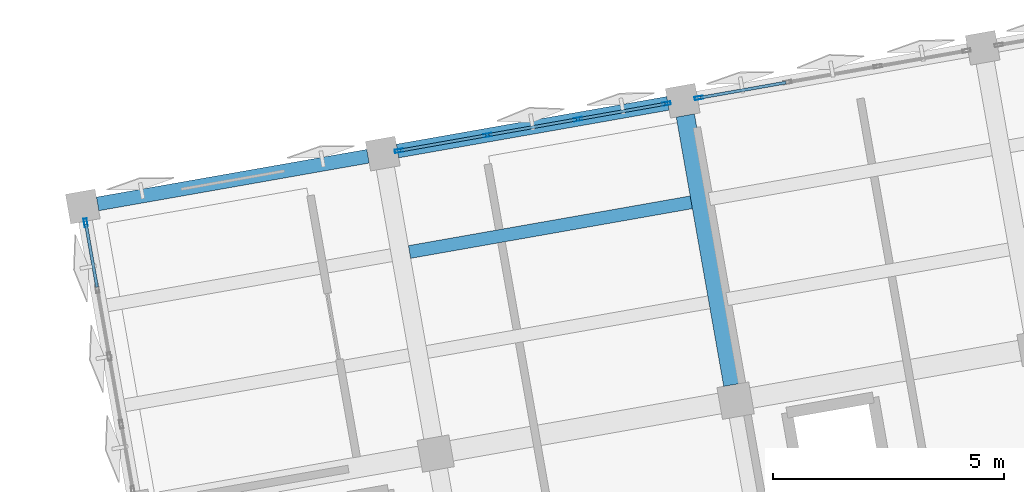
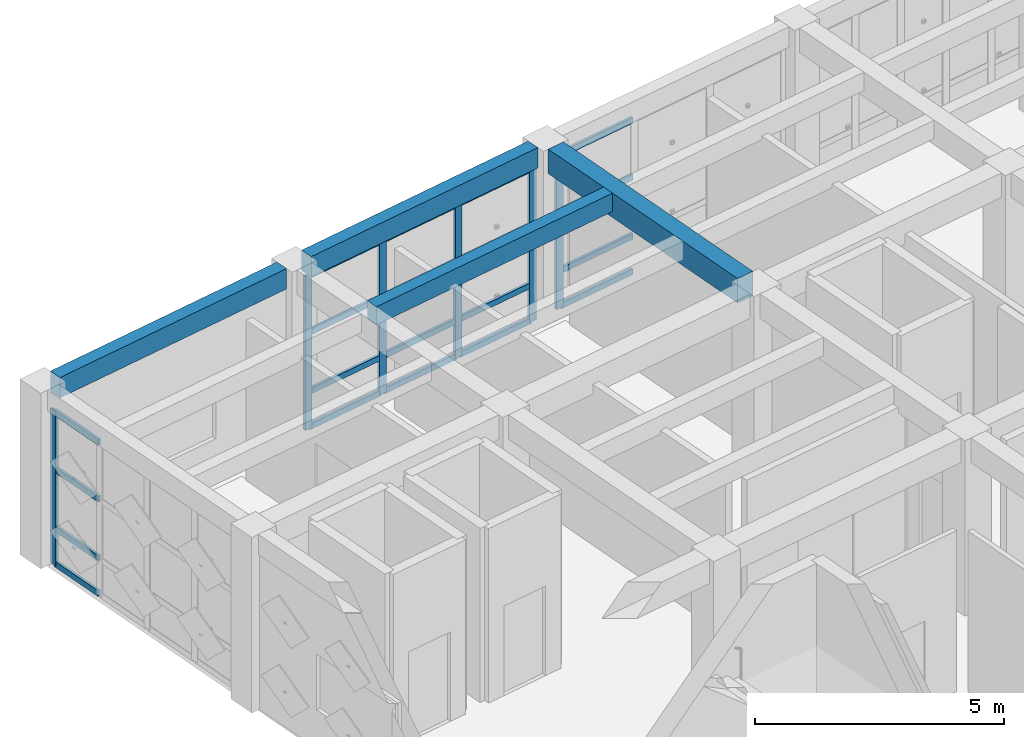
# One storey, part 6 of 39: 26 members, 4 beams, 3 elements without a shape of their own.
"""IFC4 building model written with IfcOpenShell, lengths in metres."""

from ifc_helpers import new_model, si_unit, direction, frame, origin, origin_2d, place, context, subcontext, project, spatial, rectangle, hollow_rectangle, extrude, material, layer, layer_set, material_profile, profile_set, type_object, element, aggregate, save


model = new_model("IFC4")

# Units and contexts
model_context = context("Model", 3, precision=1e-05, world=origin(), true_north=direction((0.0, 1.0)))
body_context = subcontext(model_context, "Body", "Model", "MODEL_VIEW")
ifc_project = project(units=[si_unit("LENGTHUNIT", "METRE"), si_unit("AREAUNIT", "SQUARE_METRE"), si_unit("VOLUMEUNIT", "CUBIC_METRE"), si_unit("PLANEANGLEUNIT", "RADIAN"), si_unit("MASSUNIT", "GRAM", prefix="KILO")], contexts=[model_context])

# Site, building, storey
site_placement = place(None, origin())
site = spatial("IfcSite", under=ifc_project, at=site_placement, CompositionType="ELEMENT")
building_placement = place(site_placement, origin())
building = spatial("IfcBuilding", under=site, at=building_placement, Name="Kharisveld Research Institute", CompositionType="ELEMENT")
storey_placement = place(building_placement, frame((0.0, 0.0, 23.10009765625)))
storey = spatial("IfcBuildingStorey", under=building, at=storey_placement, Name="L05", CompositionType="ELEMENT", Elevation=23.10009765625)

# Beam
ifc_material_1 = material(Name="Concrete C40/50", Category="concrete")
ifc_material_profile_1 = material_profile(ifc_material_1, rectangle(XDim=0.39990234375, YDim=0.60009765625, at=origin_2d()))
ifc_profile_set_1 = profile_set([ifc_material_profile_1], Name="Concrete C40/50")
beam_type_1 = type_object("IfcBeamType", Name="BM_RC_400x600", PredefinedType="BEAM", material=ifc_profile_set_1)
beam_1_placement = place(storey_placement, frame((15.846435546875, 50.646240234375, 4.010009765625), z_axis=(-0.173639592071, 0.984809266846, 0.0), x_axis=(-0.984809266846, -0.173639592071, 0.0)))
element("IfcBeam", 1, at=beam_1_placement, inside=storey, type_object=beam_type_1, Name="BM:V1:L05:V2_2", PredefinedType="BEAM", context=body_context, shape_type="SweptSolid", body=[
    extrude(rectangle(XDim=0.39990234375, YDim=0.60009765625, at=origin_2d()), origin(), (0.0, 0.0, 1.0), 5.925048828125),
])

# Curtain wall, member
ifc_material_2 = material(Name="Thermally Broken Aluminium Curtain Wall", Category="aluminium")
ifc_layer_1 = layer(ifc_material_2, 0.159912109375)
ifc_layer_set_1 = layer_set([ifc_layer_1], Name="CW_SYS_04")
curtain_wall_type_1 = type_object("IfcCurtainWallType", Name="CW_SYS_04", PredefinedType="NOTDEFINED", material=ifc_layer_set_1)
curtain_wall_1_placement = place(storey_placement, origin())
curtain_wall_1 = element("IfcCurtainWall", 2, at=curtain_wall_1_placement, inside=storey, type_object=curtain_wall_type_1, Name="CW:V1:L05:W2", PredefinedType="NOTDEFINED")
ifc_material_3 = material(Name="Anodised Aluminium AW-6063-T6", Category="aluminium")
ifc_material_profile_2 = material_profile(ifc_material_3, hollow_rectangle(XDim=0.070068359375, YDim=0.179931640625, WallThickness=0.00439453125, at=origin_2d()))
ifc_profile_set_2 = profile_set([ifc_material_profile_2], Name="Anodised Aluminium AW-6063-T6")
member_type_1 = type_object("IfcMemberType", Name="CW_MUL_180", PredefinedType="MULLION", material=ifc_profile_set_2)
member_1_placement = place(storey_placement, frame((1.823486328125, 54.15966796875, 0.0), z_axis=(0.0, 0.0, 1.0), x_axis=(-0.984807737371, -0.173648266375, 0.0)))
member_1 = element("IfcMember", 3, at=member_1_placement, type_object=member_type_1, Name="CW-04 mullion 5", PredefinedType="MULLION", context=body_context, shape_type="SweptSolid", body=[
    extrude(hollow_rectangle(XDim=0.070068359375, YDim=0.179931640625, WallThickness=0.00439453125, at=origin_2d()), origin(), (0.0, 0.0, 1.0), 3.77978515625),
])

# Curtain wall, members
ifc_material_4 = material(Name="Thermally Broken Aluminium Curtain Wall", Category="aluminium")
ifc_layer_2 = layer(ifc_material_4, 0.159912109375)
ifc_layer_set_2 = layer_set([ifc_layer_2], Name="CW_SYS_05")
curtain_wall_type_2 = type_object("IfcCurtainWallType", Name="CW_SYS_05", PredefinedType="NOTDEFINED", material=ifc_layer_set_2)
curtain_wall_2_placement = place(storey_placement, origin())
curtain_wall_2 = element("IfcCurtainWall", 4, at=curtain_wall_2_placement, inside=storey, type_object=curtain_wall_type_2, Name="CW:V1:L05:N1", PredefinedType="NOTDEFINED")
member_2_placement = place(storey_placement, frame((8.611083984375, 55.716796875, 0.0), z_axis=(0.0, 0.0, 1.0), x_axis=(-0.173648295062, 0.984807732312, 0.0)))
member_2 = element("IfcMember", 5, at=member_2_placement, type_object=member_type_1, Name="CW-05 mullion 1", PredefinedType="MULLION", context=body_context, shape_type="SweptSolid", body=[
    extrude(hollow_rectangle(XDim=0.070068359375, YDim=0.179931640625, WallThickness=0.00439453125, at=origin_2d()), origin(), (0.0, 0.0, 1.0), 3.77978515625),
])
member_3_placement = place(storey_placement, frame((10.533203125, 56.055908203125, 0.0), z_axis=(0.0, 0.0, 1.0), x_axis=(-0.173648295062, 0.984807732312, 0.0)))
member_3 = element("IfcMember", 6, at=member_3_placement, type_object=member_type_1, Name="CW-05 mullion 2", PredefinedType="MULLION", context=body_context, shape_type="SweptSolid", body=[
    extrude(hollow_rectangle(XDim=0.070068359375, YDim=0.179931640625, WallThickness=0.00439453125, at=origin_2d()), origin(), (0.0, 0.0, 1.0), 3.77978515625),
])
member_4_placement = place(storey_placement, frame((12.489501953125, 56.40087890625, 0.0), z_axis=(0.0, 0.0, 1.0), x_axis=(-0.173648295062, 0.984807732312, 0.0)))
member_4 = element("IfcMember", 7, at=member_4_placement, type_object=member_type_1, Name="CW-05 mullion 3", PredefinedType="MULLION", context=body_context, shape_type="SweptSolid", body=[
    extrude(hollow_rectangle(XDim=0.070068359375, YDim=0.179931640625, WallThickness=0.00439453125, at=origin_2d()), origin(), (0.0, 0.0, 1.0), 3.77978515625),
])
member_5_placement = place(storey_placement, frame((14.41162109375, 56.73974609375, 0.0), z_axis=(0.0, 0.0, 1.0), x_axis=(-0.173648295062, 0.984807732312, 0.0)))
member_5 = element("IfcMember", 8, at=member_5_placement, type_object=member_type_1, Name="CW-05 mullion 4", PredefinedType="MULLION", context=body_context, shape_type="SweptSolid", body=[
    extrude(hollow_rectangle(XDim=0.070068359375, YDim=0.179931640625, WallThickness=0.00439453125, at=origin_2d()), origin(), (0.0, 0.0, 1.0), 3.77978515625),
])

# Curtain wall, member
ifc_material_5 = material(Name="Thermally Broken Aluminium Curtain Wall", Category="aluminium")
ifc_layer_3 = layer(ifc_material_5, 0.159912109375)
ifc_layer_set_3 = layer_set([ifc_layer_3], Name="CW_SYS_06")
curtain_wall_type_3 = type_object("IfcCurtainWallType", Name="CW_SYS_06", PredefinedType="NOTDEFINED", material=ifc_layer_set_3)
curtain_wall_3_placement = place(storey_placement, origin())
curtain_wall_3 = element("IfcCurtainWall", 9, at=curtain_wall_3_placement, inside=storey, type_object=curtain_wall_type_3, Name="CW:V1:L05:N2", PredefinedType="NOTDEFINED")
member_6_placement = place(storey_placement, frame((15.11083984375, 56.863037109375, 0.0), z_axis=(0.0, 0.0, 1.0), x_axis=(-0.173648266375, 0.984807737371, 0.0)))
member_6 = element("IfcMember", 10, at=member_6_placement, type_object=member_type_1, Name="CW-06 mullion 1", PredefinedType="MULLION", context=body_context, shape_type="SweptSolid", body=[
    extrude(hollow_rectangle(XDim=0.070068359375, YDim=0.179931640625, WallThickness=0.00439453125, at=origin_2d()), origin(), (0.0, 0.0, 1.0), 3.77978515625),
])

# Member
ifc_material_6 = material(Name="Anodised Aluminium AW-6063-T6", Category="aluminium")
ifc_material_profile_3 = material_profile(ifc_material_6, hollow_rectangle(XDim=0.06494140625, YDim=0.139892578125, WallThickness=0.00390625, at=origin_2d()))
ifc_profile_set_3 = profile_set([ifc_material_profile_3], Name="Anodised Aluminium AW-6063-T6")
member_type_2 = type_object("IfcMemberType", Name="CW_TRN_140", PredefinedType="USERDEFINED", material=ifc_profile_set_3)
member_7_placement = place(storey_placement, frame((2.070068359375, 52.76123046875, 0.032470703125), z_axis=(-0.173654587092, 0.984806622836, 0.0), x_axis=(-0.984806622836, -0.173654587092, 0.0)))
member_7 = element("IfcMember", 11, at=member_7_placement, type_object=member_type_2, Name="CW-04 transom 4.1", ObjectType="TRANSOM", PredefinedType="USERDEFINED", context=body_context, shape_type="SweptSolid", body=[
    extrude(hollow_rectangle(XDim=0.06494140625, YDim=0.139892578125, WallThickness=0.00390625, at=origin_2d()), origin(), (0.0, 0.0, 1.0), 1.384765625),
])

member_8_placement = place(storey_placement, frame((2.070068359375, 52.76123046875, 0.89990234375), z_axis=(-0.173654587092, 0.984806622836, 0.0), x_axis=(-0.984806622836, -0.173654587092, 0.0)))
member_8 = element("IfcMember", 12, at=member_8_placement, type_object=member_type_2, Name="CW-04 transom 4.2", ObjectType="TRANSOM", PredefinedType="USERDEFINED", context=body_context, shape_type="SweptSolid", body=[
    extrude(hollow_rectangle(XDim=0.06494140625, YDim=0.139892578125, WallThickness=0.00390625, at=origin_2d()), origin(), (0.0, 0.0, 1.0), 1.384765625),
])

member_9_placement = place(storey_placement, frame((2.070068359375, 52.76123046875, 2.349853515625), z_axis=(-0.173654587092, 0.984806622836, 0.0), x_axis=(-0.984806622836, -0.173654587092, 0.0)))
member_9 = element("IfcMember", 13, at=member_9_placement, type_object=member_type_2, Name="CW-04 transom 4.3", ObjectType="TRANSOM", PredefinedType="USERDEFINED", context=body_context, shape_type="SweptSolid", body=[
    extrude(hollow_rectangle(XDim=0.06494140625, YDim=0.139892578125, WallThickness=0.00390625, at=origin_2d()), origin(), (0.0, 0.0, 1.0), 1.384765625),
])

member_10_placement = place(storey_placement, frame((2.070068359375, 52.76123046875, 3.747314453125), z_axis=(-0.173654587092, 0.984806622836, 0.0), x_axis=(-0.984806622836, -0.173654587092, 0.0)))
member_10 = element("IfcMember", 14, at=member_10_placement, type_object=member_type_2, Name="CW-04 transom 4.4", ObjectType="TRANSOM", PredefinedType="USERDEFINED", context=body_context, shape_type="SweptSolid", body=[
    extrude(hollow_rectangle(XDim=0.06494140625, YDim=0.139892578125, WallThickness=0.00390625, at=origin_2d()), origin(), (0.0, 0.0, 1.0), 1.384765625),
])

aggregate(curtain_wall_1, [member_1, member_7, member_8, member_9, member_10])

member_11_placement = place(storey_placement, frame((8.6455078125, 55.722900390625, 0.032470703125), z_axis=(0.98479270082, 0.173733521265, 0.0), x_axis=(-0.173733521265, 0.98479270082, 0.0)))
member_11 = element("IfcMember", 15, at=member_11_placement, type_object=member_type_2, Name="CW-05 transom 1.1", ObjectType="TRANSOM", PredefinedType="USERDEFINED", context=body_context, shape_type="SweptSolid", body=[
    extrude(hollow_rectangle(XDim=0.06494140625, YDim=0.139892578125, WallThickness=0.00390625, at=origin_2d()), origin(), (0.0, 0.0, 1.0), 1.881591796875),
])

member_12_placement = place(storey_placement, frame((8.6455078125, 55.722900390625, 0.89990234375), z_axis=(0.98479270082, 0.173733521265, 0.0), x_axis=(-0.173733521265, 0.98479270082, 0.0)))
member_12 = element("IfcMember", 16, at=member_12_placement, type_object=member_type_2, Name="CW-05 transom 1.2", ObjectType="TRANSOM", PredefinedType="USERDEFINED", context=body_context, shape_type="SweptSolid", body=[
    extrude(hollow_rectangle(XDim=0.06494140625, YDim=0.139892578125, WallThickness=0.00390625, at=origin_2d()), origin(), (0.0, 0.0, 1.0), 1.881591796875),
])

member_13_placement = place(storey_placement, frame((8.6455078125, 55.722900390625, 2.349853515625), z_axis=(0.98479270082, 0.173733521265, 0.0), x_axis=(-0.173733521265, 0.98479270082, 0.0)))
member_13 = element("IfcMember", 17, at=member_13_placement, type_object=member_type_2, Name="CW-05 transom 1.3", ObjectType="TRANSOM", PredefinedType="USERDEFINED", context=body_context, shape_type="SweptSolid", body=[
    extrude(hollow_rectangle(XDim=0.06494140625, YDim=0.139892578125, WallThickness=0.00390625, at=origin_2d()), origin(), (0.0, 0.0, 1.0), 1.881591796875),
])

member_14_placement = place(storey_placement, frame((8.6455078125, 55.722900390625, 3.747314453125), z_axis=(0.98479270082, 0.173733521265, 0.0), x_axis=(-0.173733521265, 0.98479270082, 0.0)))
member_14 = element("IfcMember", 18, at=member_14_placement, type_object=member_type_2, Name="CW-05 transom 1.4", ObjectType="TRANSOM", PredefinedType="USERDEFINED", context=body_context, shape_type="SweptSolid", body=[
    extrude(hollow_rectangle(XDim=0.06494140625, YDim=0.139892578125, WallThickness=0.00390625, at=origin_2d()), origin(), (0.0, 0.0, 1.0), 1.881591796875),
])

member_15_placement = place(storey_placement, frame((10.567626953125, 56.06201171875, 0.032470703125), z_axis=(0.984811758578, 0.173625459441, 0.0), x_axis=(-0.173625459441, 0.984811758578, 0.0)))
member_15 = element("IfcMember", 19, at=member_15_placement, type_object=member_type_2, Name="CW-05 transom 2.1", ObjectType="TRANSOM", PredefinedType="USERDEFINED", context=body_context, shape_type="SweptSolid", body=[
    extrude(hollow_rectangle(XDim=0.06494140625, YDim=0.139892578125, WallThickness=0.00390625, at=origin_2d()), origin(), (0.0, 0.0, 1.0), 1.91650390625),
])

member_16_placement = place(storey_placement, frame((10.567626953125, 56.06201171875, 0.89990234375), z_axis=(0.984811758578, 0.173625459441, 0.0), x_axis=(-0.173625459441, 0.984811758578, 0.0)))
member_16 = element("IfcMember", 20, at=member_16_placement, type_object=member_type_2, Name="CW-05 transom 2.2", ObjectType="TRANSOM", PredefinedType="USERDEFINED", context=body_context, shape_type="SweptSolid", body=[
    extrude(hollow_rectangle(XDim=0.06494140625, YDim=0.139892578125, WallThickness=0.00390625, at=origin_2d()), origin(), (0.0, 0.0, 1.0), 1.91650390625),
])

member_17_placement = place(storey_placement, frame((10.567626953125, 56.06201171875, 2.349853515625), z_axis=(0.984811758578, 0.173625459441, 0.0), x_axis=(-0.173625459441, 0.984811758578, 0.0)))
member_17 = element("IfcMember", 21, at=member_17_placement, type_object=member_type_2, Name="CW-05 transom 2.3", ObjectType="TRANSOM", PredefinedType="USERDEFINED", context=body_context, shape_type="SweptSolid", body=[
    extrude(hollow_rectangle(XDim=0.06494140625, YDim=0.139892578125, WallThickness=0.00390625, at=origin_2d()), origin(), (0.0, 0.0, 1.0), 1.91650390625),
])

member_18_placement = place(storey_placement, frame((10.567626953125, 56.06201171875, 3.747314453125), z_axis=(0.984811758578, 0.173625459441, 0.0), x_axis=(-0.173625459441, 0.984811758578, 0.0)))
member_18 = element("IfcMember", 22, at=member_18_placement, type_object=member_type_2, Name="CW-05 transom 2.4", ObjectType="TRANSOM", PredefinedType="USERDEFINED", context=body_context, shape_type="SweptSolid", body=[
    extrude(hollow_rectangle(XDim=0.06494140625, YDim=0.139892578125, WallThickness=0.00390625, at=origin_2d()), origin(), (0.0, 0.0, 1.0), 1.91650390625),
])

member_19_placement = place(storey_placement, frame((12.524169921875, 56.406982421875, 0.032470703125), z_axis=(0.984814892183, 0.173607684551, 0.0), x_axis=(-0.173607684551, 0.984814892183, 0.0)))
member_19 = element("IfcMember", 23, at=member_19_placement, type_object=member_type_2, Name="CW-05 transom 3.1", ObjectType="TRANSOM", PredefinedType="USERDEFINED", context=body_context, shape_type="SweptSolid", body=[
    extrude(hollow_rectangle(XDim=0.06494140625, YDim=0.139892578125, WallThickness=0.00390625, at=origin_2d()), origin(), (0.0, 0.0, 1.0), 1.881591796875),
])

member_20_placement = place(storey_placement, frame((12.524169921875, 56.406982421875, 0.89990234375), z_axis=(0.984814892183, 0.173607684551, 0.0), x_axis=(-0.173607684551, 0.984814892183, 0.0)))
member_20 = element("IfcMember", 24, at=member_20_placement, type_object=member_type_2, Name="CW-05 transom 3.2", ObjectType="TRANSOM", PredefinedType="USERDEFINED", context=body_context, shape_type="SweptSolid", body=[
    extrude(hollow_rectangle(XDim=0.06494140625, YDim=0.139892578125, WallThickness=0.00390625, at=origin_2d()), origin(), (0.0, 0.0, 1.0), 1.881591796875),
])

member_21_placement = place(storey_placement, frame((12.524169921875, 56.406982421875, 2.349853515625), z_axis=(0.984814892183, 0.173607684551, 0.0), x_axis=(-0.173607684551, 0.984814892183, 0.0)))
member_21 = element("IfcMember", 25, at=member_21_placement, type_object=member_type_2, Name="CW-05 transom 3.3", ObjectType="TRANSOM", PredefinedType="USERDEFINED", context=body_context, shape_type="SweptSolid", body=[
    extrude(hollow_rectangle(XDim=0.06494140625, YDim=0.139892578125, WallThickness=0.00390625, at=origin_2d()), origin(), (0.0, 0.0, 1.0), 1.881591796875),
])

member_22_placement = place(storey_placement, frame((12.524169921875, 56.406982421875, 3.747314453125), z_axis=(0.984814892183, 0.173607684551, 0.0), x_axis=(-0.173607684551, 0.984814892183, 0.0)))
member_22 = element("IfcMember", 26, at=member_22_placement, type_object=member_type_2, Name="CW-05 transom 3.4", ObjectType="TRANSOM", PredefinedType="USERDEFINED", context=body_context, shape_type="SweptSolid", body=[
    extrude(hollow_rectangle(XDim=0.06494140625, YDim=0.139892578125, WallThickness=0.00390625, at=origin_2d()), origin(), (0.0, 0.0, 1.0), 1.881591796875),
])

aggregate(curtain_wall_2, [member_2, member_3, member_4, member_5, member_11, member_12, member_13, member_14, member_15, member_16, member_17, member_18, member_19, member_20, member_21, member_22])

member_23_placement = place(storey_placement, frame((15.145263671875, 56.869140625, 0.032470703125), z_axis=(0.984814892183, 0.173607684551, 0.0), x_axis=(-0.173607684551, 0.984814892183, 0.0)))
member_23 = element("IfcMember", 27, at=member_23_placement, type_object=member_type_2, Name="CW-06 transom 1.1", ObjectType="TRANSOM", PredefinedType="USERDEFINED", context=body_context, shape_type="SweptSolid", body=[
    extrude(hollow_rectangle(XDim=0.06494140625, YDim=0.139892578125, WallThickness=0.00390625, at=origin_2d()), origin(), (0.0, 0.0, 1.0), 1.881591796875),
])

member_24_placement = place(storey_placement, frame((15.145263671875, 56.869140625, 0.89990234375), z_axis=(0.984814892183, 0.173607684551, 0.0), x_axis=(-0.173607684551, 0.984814892183, 0.0)))
member_24 = element("IfcMember", 28, at=member_24_placement, type_object=member_type_2, Name="CW-06 transom 1.2", ObjectType="TRANSOM", PredefinedType="USERDEFINED", context=body_context, shape_type="SweptSolid", body=[
    extrude(hollow_rectangle(XDim=0.06494140625, YDim=0.139892578125, WallThickness=0.00390625, at=origin_2d()), origin(), (0.0, 0.0, 1.0), 1.881591796875),
])

member_25_placement = place(storey_placement, frame((15.145263671875, 56.869140625, 2.349853515625), z_axis=(0.984814892183, 0.173607684551, 0.0), x_axis=(-0.173607684551, 0.984814892183, 0.0)))
member_25 = element("IfcMember", 29, at=member_25_placement, type_object=member_type_2, Name="CW-06 transom 1.3", ObjectType="TRANSOM", PredefinedType="USERDEFINED", context=body_context, shape_type="SweptSolid", body=[
    extrude(hollow_rectangle(XDim=0.06494140625, YDim=0.139892578125, WallThickness=0.00390625, at=origin_2d()), origin(), (0.0, 0.0, 1.0), 1.881591796875),
])

member_26_placement = place(storey_placement, frame((15.145263671875, 56.869140625, 3.747314453125), z_axis=(0.984814892183, 0.173607684551, 0.0), x_axis=(-0.173607684551, 0.984814892183, 0.0)))
member_26 = element("IfcMember", 30, at=member_26_placement, type_object=member_type_2, Name="CW-06 transom 1.4", ObjectType="TRANSOM", PredefinedType="USERDEFINED", context=body_context, shape_type="SweptSolid", body=[
    extrude(hollow_rectangle(XDim=0.06494140625, YDim=0.139892578125, WallThickness=0.00390625, at=origin_2d()), origin(), (0.0, 0.0, 1.0), 1.881591796875),
])

aggregate(curtain_wall_3, [member_6, member_23, member_24, member_25, member_26])

# Beams
ifc_material_7 = material(Name="Concrete C40/50", Category="concrete")
ifc_material_profile_4 = material_profile(ifc_material_7, rectangle(XDim=0.300048828125, YDim=0.5, at=origin_2d()))
ifc_profile_set_4 = profile_set([ifc_material_profile_4], Name="Concrete C40/50")
beam_type_2 = type_object("IfcBeamType", Name="SP_RC_300x500", PredefinedType="SPANDREL", material=ifc_profile_set_4)
for number, where, z_axis, x_axis, name in (
    (31, (2.081787109375, 54.565673828125, 4.059814453125), (0.984807920462, 0.173647228007, 0.0), (-0.173647228007, 0.984807920462, 0.0), "BM:V1:L05:U0_3"),
    (32, (8.58154296875, 55.711669921875, 4.059814453125), (0.984807920462, 0.173647228007, 0.0), (-0.173647228007, 0.984807920462, 0.0), "BM:V1:L05:U1_3"),
):
    element("IfcBeam", number, at=place(storey_placement, frame(where, z_axis=z_axis, x_axis=x_axis)), inside=storey, type_object=beam_type_2, Name=name, PredefinedType="SPANDREL", context=body_context, shape_type="SweptSolid", body=[
        extrude(rectangle(XDim=0.300048828125, YDim=0.5, at=origin_2d()), origin(), (0.0, 0.0, 1.0), 5.949951171875),
    ])
ifc_material_8 = material(Name="Concrete C40/50", Category="concrete")
ifc_material_profile_5 = material_profile(ifc_material_8, rectangle(XDim=0.280029296875, YDim=0.449951171875, at=origin_2d()))
ifc_profile_set_5 = profile_set([ifc_material_profile_5], Name="Concrete C40/50")
beam_type_3 = type_object("IfcBeamType", Name="WB_RC_280x450", PredefinedType="JOIST", material=ifc_profile_set_5)
beam_2_placement = place(storey_placement, frame((8.840576171875, 53.5234375, 4.0849609375), z_axis=(0.984806146634, 0.173657287643, 0.0), x_axis=(-0.173657287643, 0.984806146634, 0.0)))
element("IfcBeam", 33, at=beam_2_placement, inside=storey, type_object=beam_type_3, Name="BM:V1:L05:J_1_2_R2", PredefinedType="JOIST", context=body_context, shape_type="SweptSolid", body=[
    extrude(rectangle(XDim=0.280029296875, YDim=0.449951171875, at=origin_2d()), origin(), (0.0, 0.0, 1.0), 6.199951171875),
])

save(model, "model.ifc")
